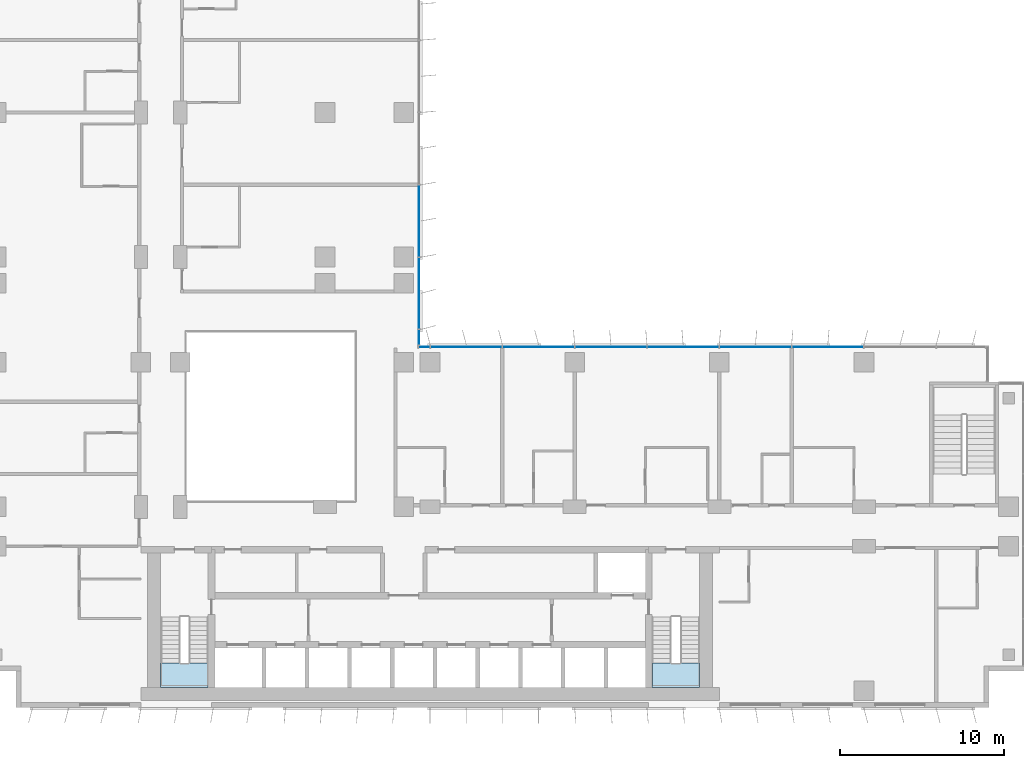
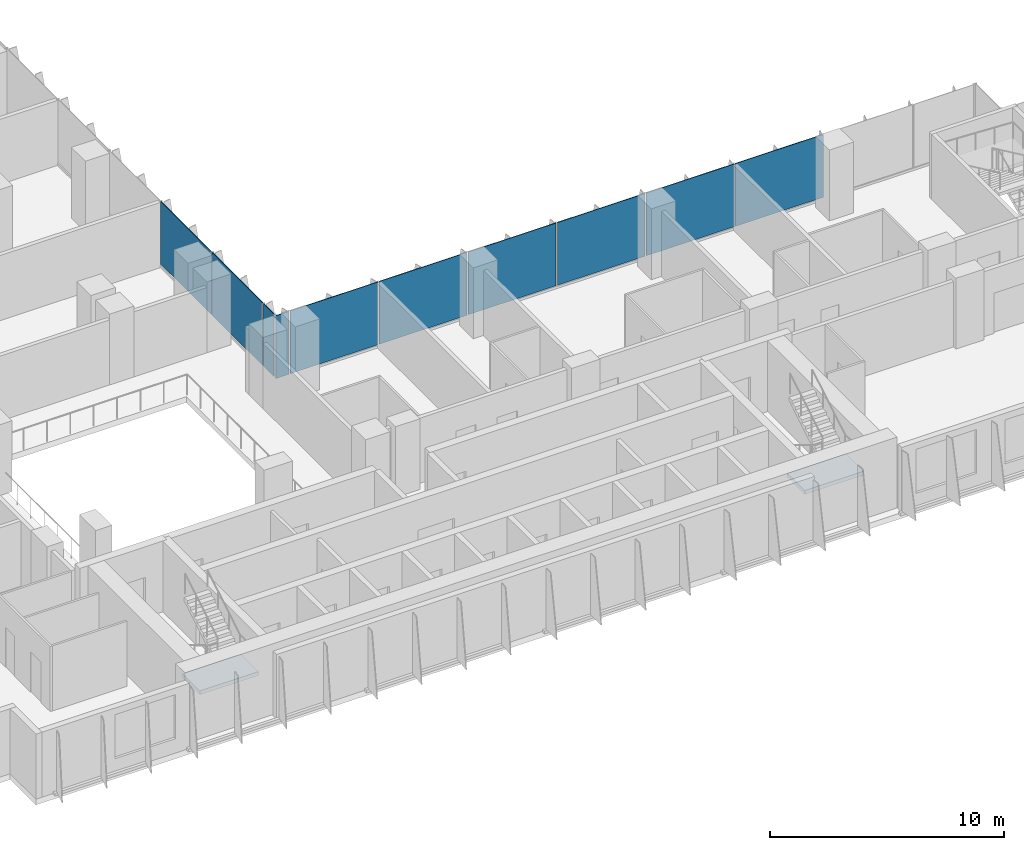
# One storey, part 10 of 22: 10 plates, 2 slabs, 4 elements without a shape of their own.
"""IFC4 building model written with IfcOpenShell, lengths in metres."""

from ifc_helpers import new_model, si_unit, direction, frame, origin, origin_2d, place, context, subcontext, project, spatial, polyline, rectangle, outline, extrude, source, transform, mapped, material, layer, layer_set, type_object, element, aggregate, save


model = new_model("IFC4")

# Units and contexts
model_context = context("Model", 3, precision=1e-05, world=origin(), true_north=direction((0.0, 1.0)))
body_context = subcontext(model_context, "Body", "Model", "MODEL_VIEW")
ifc_project = project(units=[si_unit("LENGTHUNIT", "METRE"), si_unit("AREAUNIT", "SQUARE_METRE"), si_unit("VOLUMEUNIT", "CUBIC_METRE"), si_unit("PLANEANGLEUNIT", "RADIAN"), si_unit("MASSUNIT", "GRAM", prefix="KILO")], contexts=[model_context])

# Site, building, storey
site_placement = place(None, origin())
site = spatial("IfcSite", under=ifc_project, at=site_placement, CompositionType="ELEMENT")
building_placement = place(site_placement, origin())
building = spatial("IfcBuilding", under=site, at=building_placement, Name="Kemantara Hotel Tower", CompositionType="ELEMENT")
storey_placement = place(building_placement, frame((0.0, 0.0, 94.5)))
storey = spatial("IfcBuildingStorey", under=building, at=storey_placement, Name="L22", CompositionType="ELEMENT", Elevation=94.5)

# Stair, slab
ifc_material_1 = material(Name="Concrete fc 40 MPa", Category="concrete")
stair_type = type_object("IfcStairType", Name="Stair 1200 wide 22 risers of 168 x 280 mm", PredefinedType="HALF_TURN_STAIR", material=ifc_material_1)
stair_1_placement = place(storey_placement, origin())
stair_1 = element("IfcStair", 1, at=stair_1_placement, inside=storey, type_object=stair_type, Name="L22 Exit stair ST1", PredefinedType="HALF_TURN_STAIR")
ifc_layer_1 = layer(ifc_material_1, 0.199951171875)
ifc_layer_set_1 = layer_set([ifc_layer_1], Name="Concrete fc 40 MPa")
slab_type = type_object("IfcSlabType", Name="Stair landing 200 mm", PredefinedType="LANDING", material=ifc_layer_set_1)
slab_1_placement = place(storey_placement, frame((0.0, 0.0, 1.64990234375)))
slab_1 = element("IfcSlab", 2, at=slab_1_placement, type_object=slab_type, Name="ST1 landing 1", PredefinedType="LANDING", context=body_context, shape_type="SweptSolid", body=[
    extrude(outline(polyline([(11.0, 2.699951171875), (11.0, 1.199951171875), (13.89990234375, 1.199951171875), (13.89990234375, 2.699951171875), (11.0, 2.699951171875)])), origin(), (0.0, 0.0, 1.0), 0.2001953125),
])
aggregate(stair_1, [slab_1])

stair_2_placement = place(storey_placement, origin())
stair_2 = element("IfcStair", 3, at=stair_2_placement, inside=storey, type_object=stair_type, Name="L22 Exit stair ST2", PredefinedType="HALF_TURN_STAIR")
slab_2_placement = place(storey_placement, frame((0.0, 0.0, 1.64990234375)))
slab_2 = element("IfcSlab", 4, at=slab_2_placement, type_object=slab_type, Name="ST2 landing 1", PredefinedType="LANDING", context=body_context, shape_type="SweptSolid", body=[
    extrude(outline(polyline([(40.89990234375, 2.699951171875), (40.89990234375, 1.199951171875), (43.800048828125, 1.199951171875), (43.800048828125, 2.699951171875), (40.89990234375, 2.699951171875)])), origin(), (0.0, 0.0, 1.0), 0.2001953125),
])
aggregate(stair_2, [slab_2])

# Curtain wall, plates
ifc_material_2 = material(Name="Low-E tinted double insulated glass 36 mm", Category="glass")
curtain_wall_type = type_object("IfcCurtainWallType", Name="TOWER CURTAIN WALL, FRONT FACES", PredefinedType="USERDEFINED", material=ifc_material_2)
curtain_wall_1_placement = place(storey_placement, origin())
curtain_wall_1 = element("IfcCurtainWall", 5, at=curtain_wall_1_placement, inside=storey, type_object=curtain_wall_type, Name="CW4 L22 T2-R13-1", ObjectType="TOWER CURTAIN WALL, FRONT FACES", PredefinedType="USERDEFINED")
ifc_layer_2 = layer(ifc_material_2, 0.035888671875)
ifc_layer_set_2 = layer_set([ifc_layer_2], Name="Low-E tinted double insulated glass 36 mm")
plate_type = type_object("IfcPlateType", Name="TOWER CURTAIN WALL, FRONT FACES PANEL", PredefinedType="CURTAIN_PANEL", material=ifc_layer_set_2)
shared_shape_1 = source(origin(), body_context, "Body", "SweptSolid", [
    extrude(rectangle(XDim=4.340087890625, YDim=0.035888671875, at=origin_2d()), origin(), (0.0, 0.0, 1.0), 3.280029296875),
])
plate_1_placement = place(storey_placement, frame((51.60009765625, 21.925048828125, 0.1201171875), z_axis=(0.0, 0.0, 1.0), x_axis=(-1.0, 0.0, 0.0)))
plate_1 = element("IfcPlate", 6, at=plate_1_placement, type_object=plate_type, Name="CW4 glass panel T2-R13-1.3", PredefinedType="CURTAIN_PANEL", context=body_context, shape_type="MappedRepresentation", body=[
    mapped(shared_shape_1, transform((0.0, 0.0, 0.0))),
])
plate_2_placement = place(storey_placement, frame((47.199951171875, 21.925048828125, 0.1201171875), z_axis=(0.0, 0.0, 1.0), x_axis=(-1.0, 0.0, 0.0)))
plate_2 = element("IfcPlate", 7, at=plate_2_placement, type_object=plate_type, Name="CW4 glass panel T2-R13-1.4", PredefinedType="CURTAIN_PANEL", context=body_context, shape_type="MappedRepresentation", body=[
    mapped(shared_shape_1, transform((0.0, 0.0, 0.0))),
])
plate_3_placement = place(storey_placement, frame((42.800048828125, 21.925048828125, 0.1201171875), z_axis=(0.0, 0.0, 1.0), x_axis=(-1.0, 0.0, 0.0)))
plate_3 = element("IfcPlate", 8, at=plate_3_placement, type_object=plate_type, Name="CW4 glass panel T2-R13-1.5", PredefinedType="CURTAIN_PANEL", context=body_context, shape_type="MappedRepresentation", body=[
    mapped(shared_shape_1, transform((0.0, 0.0, 0.0))),
])
plate_4_placement = place(storey_placement, frame((38.39990234375, 21.925048828125, 0.1201171875), z_axis=(0.0, 0.0, 1.0), x_axis=(-1.0, 0.0, 0.0)))
plate_4 = element("IfcPlate", 9, at=plate_4_placement, type_object=plate_type, Name="CW4 glass panel T2-R13-1.6", PredefinedType="CURTAIN_PANEL", context=body_context, shape_type="MappedRepresentation", body=[
    mapped(shared_shape_1, transform((0.0, 0.0, 0.0))),
])
plate_5_placement = place(storey_placement, frame((34.0, 21.925048828125, 0.1201171875), z_axis=(0.0, 0.0, 1.0), x_axis=(-1.0, 0.0, 0.0)))
plate_5 = element("IfcPlate", 10, at=plate_5_placement, type_object=plate_type, Name="CW4 glass panel T2-R13-1.7", PredefinedType="CURTAIN_PANEL", context=body_context, shape_type="MappedRepresentation", body=[
    mapped(shared_shape_1, transform((0.0, 0.0, 0.0))),
])
plate_6_placement = place(storey_placement, frame((29.60009765625, 21.925048828125, 0.1201171875), z_axis=(0.0, 0.0, 1.0), x_axis=(-1.0, 0.0, 0.0)))
plate_6 = element("IfcPlate", 11, at=plate_6_placement, type_object=plate_type, Name="CW4 glass panel T2-R13-1.8", PredefinedType="CURTAIN_PANEL", context=body_context, shape_type="MappedRepresentation", body=[
    mapped(shared_shape_1, transform((0.0, 0.0, 0.0))),
])

curtain_wall_2_placement = place(storey_placement, origin())
curtain_wall_2 = element("IfcCurtainWall", 12, at=curtain_wall_2_placement, inside=storey, type_object=curtain_wall_type, Name="CW4 L22 T2-R14-1", ObjectType="TOWER CURTAIN WALL, FRONT FACES", PredefinedType="USERDEFINED")
plate_7_placement = place(storey_placement, frame((26.72509765625, 25.199951171875, 0.1201171875), z_axis=(0.0, 0.0, 1.0), x_axis=(0.0, 1.0, 0.0)))
plate_7 = element("IfcPlate", 13, at=plate_7_placement, type_object=plate_type, Name="CW4 glass panel T2-R14-1.2", PredefinedType="CURTAIN_PANEL", context=body_context, shape_type="MappedRepresentation", body=[
    mapped(shared_shape_1, transform((0.0, 0.0, 0.0))),
])
plate_8_placement = place(storey_placement, frame((26.72509765625, 29.60009765625, 0.1201171875), z_axis=(0.0, 0.0, 1.0), x_axis=(0.0, 1.0, 0.0)))
plate_8 = element("IfcPlate", 14, at=plate_8_placement, type_object=plate_type, Name="CW4 glass panel T2-R14-1.3", PredefinedType="CURTAIN_PANEL", context=body_context, shape_type="MappedRepresentation", body=[
    mapped(shared_shape_1, transform((0.0, 0.0, 0.0))),
])

# Plate
shared_shape_2 = source(origin(), body_context, "Body", "SweptSolid", [
    extrude(rectangle(XDim=0.659912109375, YDim=0.035888671875, at=origin_2d()), origin(), (0.0, 0.0, 1.0), 3.280029296875),
])
plate_9_placement = place(storey_placement, frame((27.0400390625, 21.925048828125, 0.1201171875), z_axis=(0.0, 0.0, 1.0), x_axis=(-1.0, 0.0, 0.0)))
plate_9 = element("IfcPlate", 15, at=plate_9_placement, type_object=plate_type, Name="CW4 glass panel T2-R13-1.9", PredefinedType="CURTAIN_PANEL", context=body_context, shape_type="MappedRepresentation", body=[
    mapped(shared_shape_2, transform((0.0, 0.0, 0.0))),
])

aggregate(curtain_wall_1, [plate_1, plate_2, plate_3, plate_4, plate_5, plate_6, plate_9])

shared_shape_3 = source(origin(), body_context, "Body", "SweptSolid", [
    extrude(rectangle(XDim=0.909912109375, YDim=0.035888671875, at=origin_2d()), origin(), (0.0, 0.0, 1.0), 3.280029296875),
])
plate_10_placement = place(storey_placement, frame((26.72509765625, 22.514892578125, 0.1201171875), z_axis=(0.0, 0.0, 1.0), x_axis=(0.0, 1.0, 0.0)))
plate_10 = element("IfcPlate", 16, at=plate_10_placement, type_object=plate_type, Name="CW4 glass panel T2-R14-1.1", PredefinedType="CURTAIN_PANEL", context=body_context, shape_type="MappedRepresentation", body=[
    mapped(shared_shape_3, transform((0.0, 0.0, 0.0))),
])

aggregate(curtain_wall_2, [plate_10, plate_7, plate_8])

save(model, "model.ifc")
